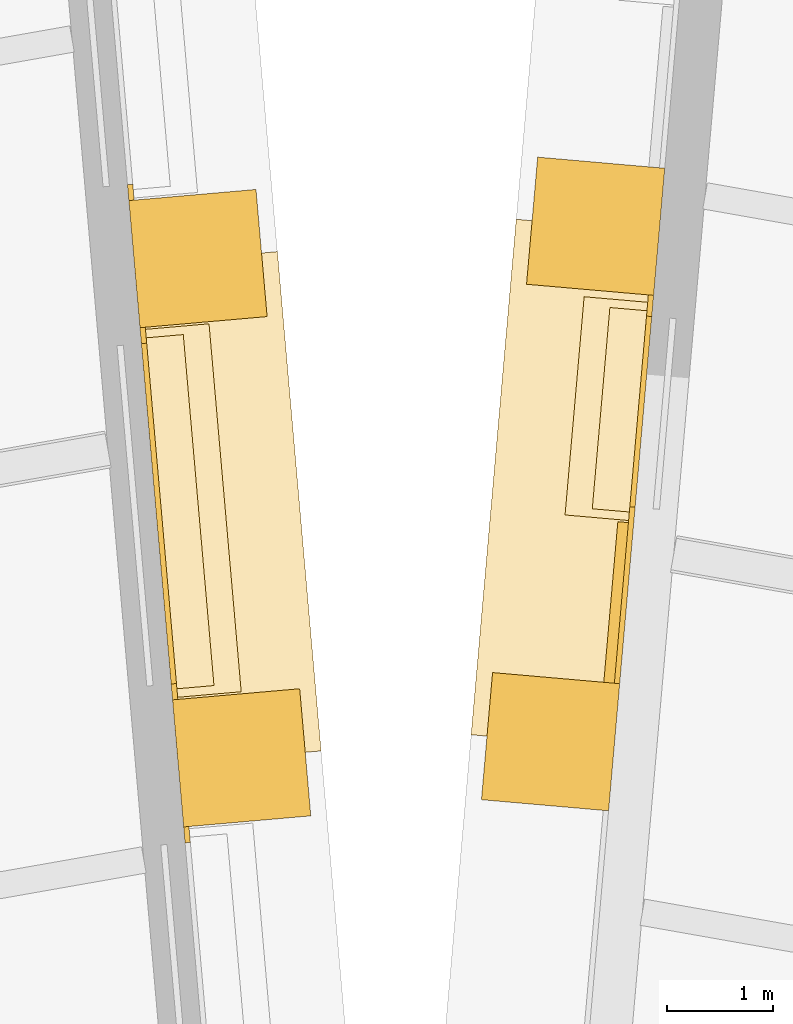
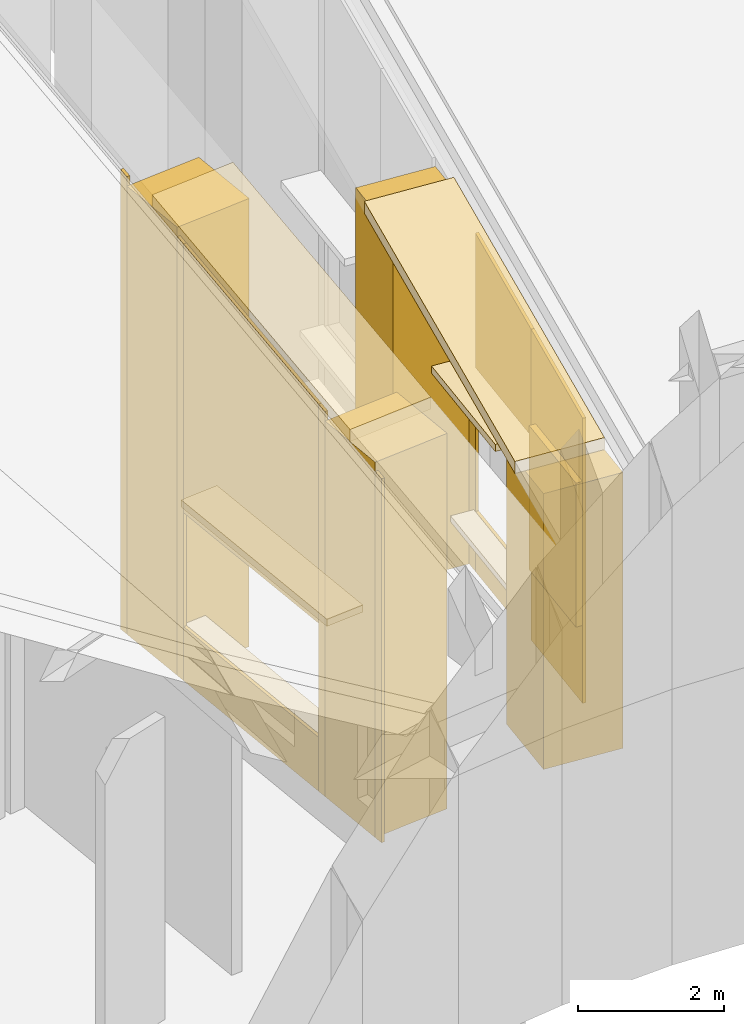
# One storey, part 75 of 82: 21 coverings.
"""IFC4 building model written with IfcOpenShell, lengths in metres."""

from ifc_helpers import new_model, si_unit, direction, frame, origin, origin_2d, place, context, subcontext, project, spatial, polyline, rectangle, outline, extrude, material, layer, layer_set, type_object, element, save


model = new_model("IFC4")

# Units and contexts
model_context = context("Model", 3, precision=1e-05, world=origin(), true_north=direction((0.0, 1.0)))
body_context = subcontext(model_context, "Body", "Model", "MODEL_VIEW")
ifc_project = project(units=[si_unit("LENGTHUNIT", "METRE"), si_unit("AREAUNIT", "SQUARE_METRE"), si_unit("VOLUMEUNIT", "CUBIC_METRE"), si_unit("PLANEANGLEUNIT", "RADIAN"), si_unit("MASSUNIT", "GRAM", prefix="KILO")], contexts=[model_context])

# Site, building, storey
site_placement = place(None, origin())
site = spatial("IfcSite", under=ifc_project, at=site_placement, CompositionType="ELEMENT")
building_placement = place(site_placement, origin())
building = spatial("IfcBuilding", under=site, at=building_placement, Name="Volute Hill Aquarium", CompositionType="ELEMENT")
storey_placement = place(building_placement, frame((0.0, 0.0, 13.800048828125)))
storey = spatial("IfcBuildingStorey", under=building, at=storey_placement, Name="L04", CompositionType="ELEMENT", Elevation=13.800048828125)

# Coverings
ifc_material_1 = material(Name="Aluminium", Category="aluminium")
ifc_layer_1 = layer(ifc_material_1, 0.10009765625)
ifc_layer_set_1 = layer_set([ifc_layer_1], Name="End wall plant louvre panel 100")
covering_type_1 = type_object("IfcCoveringType", Name="End wall plant louvre panel 100", PredefinedType="CLADDING", material=ifc_layer_set_1)
covering_1_placement = place(storey_placement, frame((2.07568359375, 27.16650390625, 1.300048828125), z_axis=(0.0, 0.0, 1.0), x_axis=(0.087153815516, 0.996194866701, 0.0)))
element("IfcCovering", 1, at=covering_1_placement, inside=storey, type_object=covering_type_1, Name="End wall plant louvre EWV S5B L04 2", PredefinedType="CLADDING", context=body_context, shape_type="SweptSolid", body=[
    extrude(rectangle(XDim=1.51611328125, YDim=0.10009765625, at=origin_2d()), origin(), (0.0, 0.0, 1.0), 2.39990234375),
])
ifc_material_2 = material(Name="Precast concrete C40/50", Category="concrete")
covering_type_2 = type_object("IfcCoveringType", Name="End wall precast coping C40/50 1350x200", PredefinedType="CLADDING", material=ifc_material_2)
covering_2_placement = place(storey_placement, frame((2.056884765625, 25.804931640625, 4.597900390625), z_axis=(0.996195078883, -0.08715139018, 0.0), x_axis=(0.084406600266, 0.964820407765, 0.248992181787)))
element("IfcCovering", 2, at=covering_2_placement, inside=storey, type_object=covering_type_2, Name="End wall coping EWC S5B L04 2", PredefinedType="CLADDING", context=body_context, shape_type="SweptSolid", body=[
    extrude(outline(polyline([(0.0, 0.0), (5.024160009843639, 2.220446049250313e-16), (5.0739462883797435, 0.1936538086475741), (0.04978627853610476, 0.19365380864757398), (0.0, 0.0)])), origin(), (0.0, 0.0, -1.0), 1.35009765625),
])
covering_3_placement = place(storey_placement, frame((-0.69873046875, 25.7705078125, 6.258544921875), z_axis=(0.996192817853, 0.087177231304, 0.0), x_axis=(-0.084431873292, 0.964821026236, 0.248981216369)))
element("IfcCovering", 3, at=covering_3_placement, inside=storey, type_object=covering_type_2, Name="End wall coping EWC S6A L04 2", PredefinedType="CLADDING", context=body_context, shape_type="SweptSolid", body=[
    extrude(outline(polyline([(0.0, 0.0), (4.866511376017529, -2.220446049250313e-16), (4.916356248435175, 0.19389082453958761), (0.04978408598786831, 0.1936543723145396), (0.0, 0.0)])), origin(), (0.0, 0.0, -1.0), 1.35009765625),
])
ifc_material_3 = material(Name="Precast concrete C40/50", Category="concrete")
covering_type_3 = type_object("IfcCoveringType", Name="End wall precast fin C40/50 1200x1200", PredefinedType="CLADDING", material=ifc_material_3)
covering_4_placement = place(storey_placement, frame((1.459228515625, 25.857177734375, 0.0), z_axis=(0.0, 0.0, 1.0), x_axis=(0.087153815516, 0.996194866701, 0.0)))
element("IfcCovering", 4, at=covering_4_placement, inside=storey, type_object=covering_type_3, Name="End wall fin EWF S5B L04 2", PredefinedType="CLADDING", context=body_context, shape_type="SweptSolid", body=[
    extrude(rectangle(XDim=1.199951171875, YDim=1.199951171875, at=origin_2d()), origin(), (0.0, 0.0, 1.0), 4.597900390625),
])
covering_5_placement = place(storey_placement, frame((1.88330078125, 30.70458984375, 0.0), z_axis=(0.0, 0.0, 1.0), x_axis=(0.087153815516, 0.996194866701, 0.0)))
element("IfcCovering", 5, at=covering_5_placement, inside=storey, type_object=covering_type_3, Name="End wall fin EWF S5B L04 3", PredefinedType="CLADDING", context=body_context, shape_type="SweptSolid", body=[
    extrude(rectangle(XDim=1.199951171875, YDim=1.199951171875, at=origin_2d()), origin(), (0.0, 0.0, 1.0), 5.848876953125),
])
covering_6_placement = place(storey_placement, frame((-1.44580078125, 25.705078125, 0.0), z_axis=(0.0, 0.0, 1.0), x_axis=(-0.08715511842, 0.996194752713, 0.0)))
element("IfcCovering", 6, at=covering_6_placement, inside=storey, type_object=covering_type_3, Name="End wall fin EWF S6A L04 2", PredefinedType="CLADDING", context=body_context, shape_type="SweptSolid", body=[
    extrude(rectangle(XDim=1.199951171875, YDim=1.199951171875, at=origin_2d()), origin(), (0.0, 0.0, 1.0), 6.258544921875),
])
covering_7_placement = place(storey_placement, frame((-1.856689453125, 30.400634765625, 0.0), z_axis=(0.0, 0.0, 1.0), x_axis=(-0.08715511842, 0.996194752713, 0.0)))
element("IfcCovering", 7, at=covering_7_placement, inside=storey, type_object=covering_type_3, Name="End wall fin EWF S6A L04 3", PredefinedType="CLADDING", context=body_context, shape_type="SweptSolid", body=[
    extrude(rectangle(XDim=1.199951171875, YDim=1.199951171875, at=origin_2d()), origin(), (0.0, 0.0, 1.0), 7.470458984375),
])
ifc_material_4 = material(Name="Precast concrete C40/50", Category="concrete")
ifc_layer_2 = layer(ifc_material_4, 0.050048828125)
ifc_layer_set_2 = layer_set([ifc_layer_2], Name="End wall precast infill panel C40/50 50")
covering_type_4 = type_object("IfcCoveringType", Name="End wall precast infill panel C40/50 50", PredefinedType="CLADDING", material=ifc_layer_set_2)
covering_8_placement = place(storey_placement, frame((2.109130859375, 26.402587890625, 0.0), z_axis=(0.996192604141, -0.087179673403, 0.0), x_axis=(0.087179673403, 0.996192604141, 0.0)))
element("IfcCovering", 8, at=covering_8_placement, inside=storey, type_object=covering_type_4, Name="End wall panel EWP S5B L04 2", PredefinedType="CLADDING", context=body_context, shape_type="SweptSolid", body=[
    extrude(outline(polyline([(0.0, 0.0), (1.666256206354944, 0.0), (1.666256206354944, 5.180419921875), (0.0, 4.752197265625), (0.0, 0.0)])), origin(), (0.0, 0.0, -1.0), 0.050048828125),
])
covering_9_placement = place(storey_placement, frame((2.25439453125, 28.0625, 0.0), z_axis=(0.996190036199, -0.087209012019, 0.0), x_axis=(0.087209012019, 0.996190036199, 0.0)))
element("IfcCovering", 9, at=covering_9_placement, inside=storey, type_object=covering_type_4, Name="End wall panel EWP S5B L04 2", PredefinedType="CLADDING", context=body_context, shape_type="SweptSolid", body=[
    extrude(outline(polyline([(0.0, 0.0), (1.8000710963407553, 0.0), (1.8000710963407553, 1.0), (0.0, 1.0), (0.0, 0.0)])), origin(), (0.0, 0.0, -1.0), 0.050048828125),
])
covering_10_placement = place(storey_placement, frame((2.25439453125, 28.0625, 3.39990234375), z_axis=(0.996190036199, -0.087209012019, 0.0), x_axis=(0.087209012019, 0.996190036199, 0.0)))
element("IfcCovering", 10, at=covering_10_placement, inside=storey, type_object=covering_type_4, Name="End wall panel EWP S5B L04 2", PredefinedType="CLADDING", context=body_context, shape_type="SweptSolid", body=[
    extrude(outline(polyline([(0.0, 0.0), (1.8000710963407553, 0.0), (1.8000710963407553, 2.243408203125), (0.0, 1.780517578125), (0.0, 0.0)])), origin(), (0.0, 0.0, -1.0), 0.050048828125),
])
covering_11_placement = place(storey_placement, frame((2.411376953125, 29.855712890625, 0.0), z_axis=(0.996226815431, -0.086787857541, 0.0), x_axis=(0.086787857541, 0.996226815431, 0.0)))
element("IfcCovering", 11, at=covering_11_placement, inside=storey, type_object=covering_type_4, Name="End wall panel EWP S5B L04 2", PredefinedType="CLADDING", context=body_context, shape_type="SweptSolid", body=[
    extrude(outline(polyline([(0.0, 0.0), (0.19972822081580408, 0.0), (0.19972822081580408, 5.694580078125), (0.0, 5.643310546875), (0.0, 0.0)])), origin(), (0.0, 0.0, -1.0), 0.050048828125),
])
covering_12_placement = place(storey_placement, frame((-1.928466796875, 24.91015625, 0.0), z_axis=(0.99627106838, 0.086278376837, 0.0), x_axis=(-0.086278376837, 0.99627106838, 0.0)))
element("IfcCovering", 12, at=covering_12_placement, inside=storey, type_object=covering_type_4, Name="End wall panel EWP S6A L04 1", PredefinedType="CLADDING", context=body_context, shape_type="SweptSolid", body=[
    extrude(outline(polyline([(0.0, 0.0), (0.14997330269060552, 0.0), (0.14997330269060552, 6.104248046875), (0.0, 6.065673828125), (0.0, 0.0)])), origin(), (0.0, 0.0, -1.0), 0.050048828125),
])
covering_13_placement = place(storey_placement, frame((-2.046142578125, 26.2548828125, 0.0), z_axis=(0.99627106838, 0.086278376837, 0.0), x_axis=(-0.086278376837, 0.99627106838, 0.0)))
element("IfcCovering", 13, at=covering_13_placement, inside=storey, type_object=covering_type_4, Name="End wall panel EWP S6A L04 2", PredefinedType="CLADDING", context=body_context, shape_type="SweptSolid", body=[
    extrude(outline(polyline([(0.0, 0.0), (0.14997330269060552, 0.0), (0.14997330269060552, 6.451416015625), (0.0, 6.412841796875), (0.0, 0.0)])), origin(), (0.0, 0.0, -1.0), 0.050048828125),
])
covering_14_placement = place(storey_placement, frame((-2.05908203125, 26.404296875, 0.0), z_axis=(0.996195696453, 0.087144330677, 0.0), x_axis=(-0.087144330677, 0.996195696453, 0.0)))
element("IfcCovering", 14, at=covering_14_placement, inside=storey, type_object=covering_type_4, Name="End wall panel EWP S6A L04 2", PredefinedType="CLADDING", context=body_context, shape_type="SweptSolid", body=[
    extrude(outline(polyline([(0.0, 0.0), (3.213396611126507, 0.0), (3.213396611126507, 0.89990234375), (0.0, 0.89990234375), (0.0, 0.0)])), origin(), (0.0, 0.0, -1.0), 0.050048828125),
])
covering_15_placement = place(storey_placement, frame((-2.05908203125, 26.404296875, 2.800048828125), z_axis=(0.996195696453, 0.087144330677, 0.0), x_axis=(-0.087144330677, 0.996195696453, 0.0)))
element("IfcCovering", 15, at=covering_15_placement, inside=storey, type_object=covering_type_4, Name="End wall panel EWP S6A L04 2", PredefinedType="CLADDING", context=body_context, shape_type="SweptSolid", body=[
    extrude(outline(polyline([(0.0, 0.0), (3.213396611126507, 0.0), (3.213396611126507, 4.4775390625), (0.0, 3.6513671875), (0.0, 0.0)])), origin(), (0.0, 0.0, -1.0), 0.050048828125),
])
covering_16_placement = place(storey_placement, frame((-2.339111328125, 29.60546875, 0.0), z_axis=(0.996129850025, 0.087893810296, 0.0), x_axis=(-0.087893810296, 0.996129850025, 0.0)))
element("IfcCovering", 16, at=covering_16_placement, inside=storey, type_object=covering_type_4, Name="End wall panel EWP S6A L04 2", PredefinedType="CLADDING", context=body_context, shape_type="SweptSolid", body=[
    extrude(outline(polyline([(0.0, 0.0), (0.14999456395789465, 0.0), (0.14999456395789465, 7.316162109375), (0.0, 7.277587890625), (0.0, 0.0)])), origin(), (0.0, 0.0, -1.0), 0.050048828125),
])
covering_17_placement = place(storey_placement, frame((-2.456787109375, 30.950439453125, 0.0), z_axis=(0.996129850025, 0.087893810296, 0.0), x_axis=(-0.087893810296, 0.996129850025, 0.0)))
element("IfcCovering", 17, at=covering_17_placement, inside=storey, type_object=covering_type_4, Name="End wall panel EWP S6A L04 3", PredefinedType="CLADDING", context=body_context, shape_type="SweptSolid", body=[
    extrude(outline(polyline([(0.0, 0.0), (0.14999456395789465, 0.0), (0.14999456395789465, 7.6630859375), (0.0, 7.62451171875), (0.0, 0.0)])), origin(), (0.0, 0.0, -1.0), 0.050048828125),
])
ifc_material_5 = material(Name="Precast concrete C40/50", Category="concrete")
ifc_layer_3 = layer(ifc_material_5, 0.1201171875)
ifc_layer_set_3 = layer_set([ifc_layer_3], Name="End wall window head blade precast C40/50 600x120")
covering_type_5 = type_object("IfcCoveringType", Name="End wall window head blade precast C40/50 600x120", PredefinedType="CLADDING", material=ifc_layer_set_3)
covering_18_placement = place(storey_placement, frame((1.984130859375, 28.989501953125, 3.39990234375), z_axis=(0.0, 0.0, 1.0), x_axis=(0.087153815516, 0.996194866701, 0.0)))
element("IfcCovering", 18, at=covering_18_placement, inside=storey, type_object=covering_type_5, Name="End wall window head blade EWB S5B L04 2.1", PredefinedType="CLADDING", context=body_context, shape_type="SweptSolid", body=[
    extrude(rectangle(XDim=2.06005859375, YDim=0.60009765625, at=origin_2d()), origin(), (0.0, 0.0, 1.0), 0.1201171875),
])
covering_19_placement = place(storey_placement, frame((-1.900390625, 28.031005859375, 2.7998046875), z_axis=(0.0, 0.0, 1.0), x_axis=(-0.08715511842, 0.996194752713, 0.0)))
element("IfcCovering", 19, at=covering_19_placement, inside=storey, type_object=covering_type_5, Name="End wall window head blade EWB S6A L04 2.1", PredefinedType="CLADDING", context=body_context, shape_type="SweptSolid", body=[
    extrude(rectangle(XDim=3.473388671875, YDim=0.60009765625, at=origin_2d()), origin(), (0.0, 0.0, 1.0), 0.1201171875),
])
ifc_material_6 = material(Name="Precast concrete C40/50", Category="concrete")
ifc_layer_4 = layer(ifc_material_6, 0.10009765625)
ifc_layer_set_4 = layer_set([ifc_layer_4], Name="End wall window sill precast C40/50 350x100")
covering_type_6 = type_object("IfcCoveringType", Name="End wall window sill precast C40/50 350x100", PredefinedType="CLADDING", material=ifc_layer_set_4)
covering_20_placement = place(storey_placement, frame((2.108642578125, 28.978759765625, 0.89990234375), z_axis=(0.0, 0.0, 1.0), x_axis=(0.087153815516, 0.996194866701, 0.0)))
element("IfcCovering", 20, at=covering_20_placement, inside=storey, type_object=covering_type_6, Name="End wall window sill EWS S5B L04 2.1", PredefinedType="CLADDING", context=body_context, shape_type="SweptSolid", body=[
    extrude(rectangle(XDim=1.89990234375, YDim=0.35009765625, at=origin_2d()), origin(), (0.0, 0.0, 1.0), 0.10009765625),
])
covering_21_placement = place(storey_placement, frame((-2.02490234375, 28.020263671875, 0.7998046875), z_axis=(0.0, 0.0, 1.0), x_axis=(-0.08715511842, 0.996194752713, 0.0)))
element("IfcCovering", 21, at=covering_21_placement, inside=storey, type_object=covering_type_6, Name="End wall window sill EWS S6A L04 2.1", PredefinedType="CLADDING", context=body_context, shape_type="SweptSolid", body=[
    extrude(rectangle(XDim=3.313232421875, YDim=0.35009765625, at=origin_2d()), origin(), (0.0, 0.0, 1.0), 0.10009765625),
])

save(model, "model.ifc")
